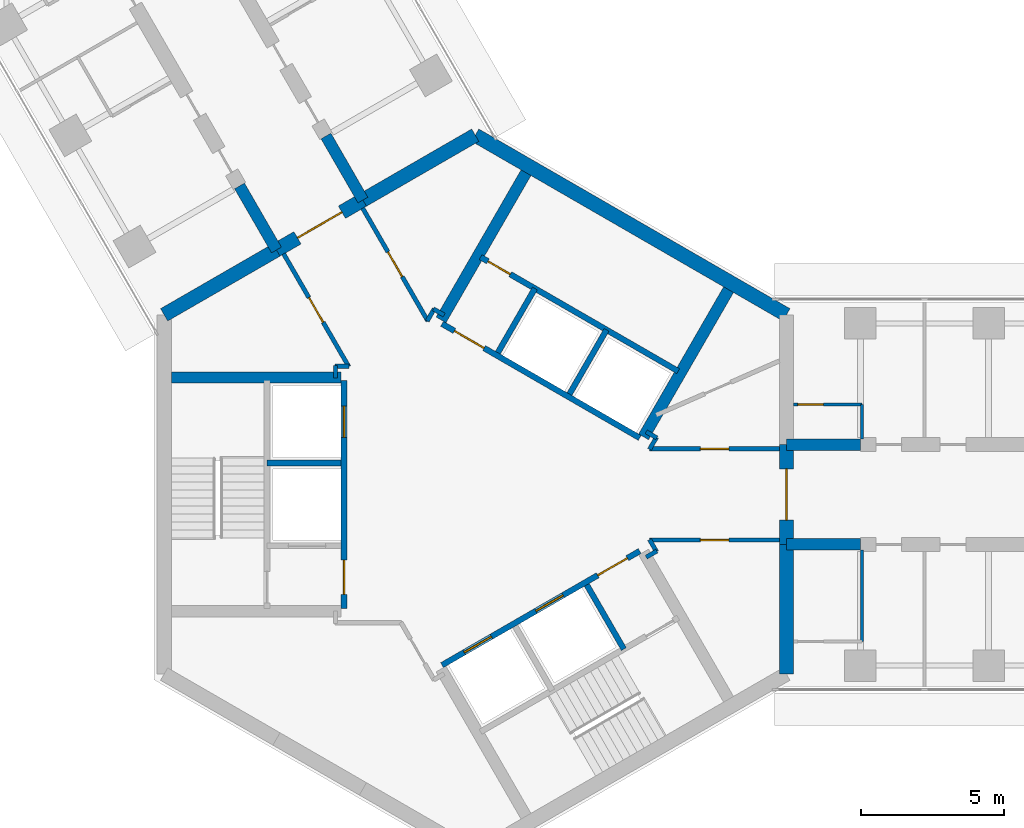
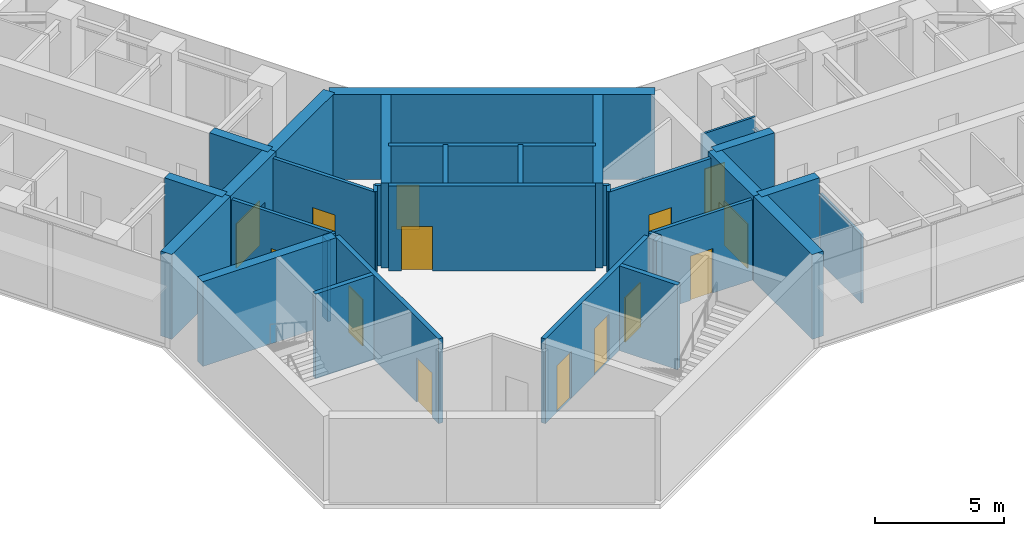
# One storey, part 12 of 18: 36 walls, 14 doors, 14 openings.
"""IFC4 building model written with IfcOpenShell, lengths in metres."""

from ifc_helpers import new_model, si_unit, direction, frame, frame_2d, origin, place, context, subcontext, project, spatial, rectangle, extrude, material, layer, layer_set, type_object, element, fill, save


model = new_model("IFC4")

# Units and contexts
model_context = context("Model", 3, precision=1e-05, world=origin(), true_north=direction((0.0, 1.0)))
body_context = subcontext(model_context, "Body", "Model", "MODEL_VIEW")
ifc_project = project(units=[si_unit("LENGTHUNIT", "METRE"), si_unit("AREAUNIT", "SQUARE_METRE"), si_unit("VOLUMEUNIT", "CUBIC_METRE"), si_unit("PLANEANGLEUNIT", "RADIAN"), si_unit("MASSUNIT", "GRAM", prefix="KILO")], contexts=[model_context])

# Site, building, storey
site_placement = place(None, origin())
site = spatial("IfcSite", under=ifc_project, at=site_placement, CompositionType="ELEMENT")
building_placement = place(site_placement, origin())
building = spatial("IfcBuilding", under=site, at=building_placement, Name="Upepo Twin Towers", CompositionType="ELEMENT")
storey_placement = place(building_placement, frame((0.0, 0.0, 218.5)))
storey = spatial("IfcBuildingStorey", under=building, at=storey_placement, Name="L53", CompositionType="ELEMENT", Elevation=218.5)

# Walls
ifc_material_1 = material(Name="Concrete C60/75", Category="concrete")
ifc_layer_1 = layer(ifc_material_1, 0.39990234375)
ifc_layer_set_1 = layer_set([ifc_layer_1], Name="Concrete C60/75")
wall_type_1 = type_object("IfcWallType", Name="Buttress wall 400 RC", PredefinedType="SHEAR", material=ifc_layer_set_1)
for number, where, z_axis, x_axis, name in (
    (1, (10.908447265625, 1.75, 0.0), (0.0, 0.0, 1.0), (1.0, 0.0, 0.0), "T1 wing A buttress wall L"),
    (2, (10.908447265625, -1.75, 0.0), (0.0, 0.0, 1.0), (1.0, 0.0, 0.0), "T1 wing A buttress wall R"),
):
    element("IfcWall", number, at=place(storey_placement, frame(where, z_axis=z_axis, x_axis=x_axis)), inside=storey, type_object=wall_type_1, Name=name, PredefinedType="SHEAR", context=body_context, shape_type="SweptSolid", body=[
        extrude(rectangle(XDim=2.591552734375, YDim=0.39990234375, at=frame_2d((1.2958984375, 0.0))), origin(), (0.0, 0.0, 1.0), 4.0),
    ])
for number, where, z_axis, x_axis, name in (
    (3, (-6.9697265625, 8.57177734375, 0.0), (0.0, 0.0, 1.0), (-0.499988811324, 0.866031863473, 0.0), "T1 wing B buttress wall L"),
    (4, (-3.938720703125, 10.32177734375, 0.0), (0.0, 0.0, 1.0), (-0.499918158782, 0.866072649678, 0.0), "T1 wing B buttress wall R"),
):
    element("IfcWall", number, at=place(storey_placement, frame(where, z_axis=z_axis, x_axis=x_axis)), inside=storey, type_object=wall_type_1, Name=name, PredefinedType="SHEAR", context=body_context, shape_type="SweptSolid", body=[
        extrude(rectangle(XDim=2.591796875, YDim=0.39990234375, at=frame_2d((1.2958984375, 0.0))), origin(), (0.0, 0.0, 1.0), 4.0),
    ])
ifc_material_2 = material(Name="Concrete C60/75", Category="concrete")
ifc_layer_2 = layer(ifc_material_2, 0.5)
ifc_layer_set_2 = layer_set([ifc_layer_2], Name="Concrete C60/75")
wall_type_2 = type_object("IfcWallType", Name="Core wall 500 RC", PredefinedType="SHEAR", material=ifc_layer_set_2)
wall_1_placement = place(storey_placement, frame((10.908447265625, -6.2978515625, 0.0), z_axis=(0.0, 0.0, 1.0), x_axis=(0.0, 1.0, 0.0)))
element("IfcWall", 5, at=wall_1_placement, inside=storey, type_object=wall_type_2, Name="T1 core wall 000 R", PredefinedType="SHEAR", context=body_context, shape_type="SweptSolid", body=[
    extrude(rectangle(XDim=4.5478515625, YDim=0.5, at=frame_2d((2.27392578125, 0.0))), origin(), (0.0, 0.0, 1.0), 4.0),
])

# Wall, opening, door
wall_2_placement = place(storey_placement, frame((10.908447265625, -1.75, 0.0), z_axis=(0.0, 0.0, 1.0), x_axis=(0.0, 1.0, 0.0)))
wall_2 = element("IfcWall", 6, at=wall_2_placement, inside=storey, type_object=wall_type_2, Name="T1 core wall 000", PredefinedType="SHEAR", context=body_context, shape_type="SweptSolid", body=[
    extrude(rectangle(XDim=3.5, YDim=0.5, at=frame_2d((1.75, 0.0))), origin(), (0.0, 0.0, 1.0), 4.0),
])
opening_1_placement = place(wall_2_placement, frame((0.85009765625, 0.0, 0.0)))
opening_1 = element("IfcOpeningElement", 7, at=opening_1_placement, cuts=wall_2, Name="Opening D2", PredefinedType="OPENING", context=body_context, shape_type="SweptSolid", body=[
    extrude(rectangle(XDim=1.800048828125, YDim=2.10009765625, at=frame_2d((0.89990234375, 1.050048828125))), frame((0.0, 0.260009765625, 0.0), z_axis=(0.0, -1.0, 0.0), x_axis=(1.0, 0.0, 0.0)), (0.0, 0.0, 1.0), 0.52001953125),
])
ifc_material_3 = material(Name="Timber doorset", Category="wood")
door_type_1 = type_object("IfcDoorType", Name="Corridor double door 1800 FD60", OperationType="DOUBLE_DOOR_DOUBLE_SWING", PredefinedType="DOOR", material=ifc_material_3)
door_1_placement = place(opening_1_placement, origin())
door_1 = element("IfcDoor", 8, at=door_1_placement, inside=storey, type_object=door_type_1, Name="T1 L53 wing A corridor door", OperationType="DOUBLE_DOOR_DOUBLE_SWING", OverallHeight=2.10009765625, OverallWidth=1.800048828125, PredefinedType="DOOR", context=body_context, shape_type="SweptSolid", body=[
    extrude(rectangle(XDim=1.800048828125, YDim=2.10009765625, at=frame_2d((0.89990234375, 1.050048828125))), frame((0.0, 0.02490234375, 0.0), z_axis=(0.0, -1.0, 0.0), x_axis=(1.0, 0.0, 0.0)), (0.0, 0.0, 1.0), 0.050048828125),
])
fill(opening_1, door_1)

# Walls
wall_3_placement = place(storey_placement, frame((10.908447265625, 6.2978515625, 0.0), z_axis=(0.0, 0.0, 1.0), x_axis=(-0.866021940709, 0.500005998175, 0.0)))
element("IfcWall", 9, at=wall_3_placement, inside=storey, type_object=wall_type_2, Name="T1 core wall 060", PredefinedType="SHEAR", context=body_context, shape_type="SweptSolid", body=[
    extrude(rectangle(XDim=12.595947265625, YDim=0.5, at=frame_2d((6.2978515625, 0.0))), origin(), (0.0, 0.0, 1.0), 4.0),
])
wall_4_placement = place(storey_placement, frame((0.0, 12.595947265625, 0.0), z_axis=(0.0, 0.0, 1.0), x_axis=(-0.866011268655, -0.500024481964, 0.0)))
element("IfcWall", 10, at=wall_4_placement, inside=storey, type_object=wall_type_2, Name="T1 core wall 120 R", PredefinedType="SHEAR", context=body_context, shape_type="SweptSolid", body=[
    extrude(rectangle(XDim=4.548095703125, YDim=0.5, at=frame_2d((2.27392578125, 0.0))), origin(), (0.0, 0.0, 1.0), 4.0),
])

# Wall, opening, door
wall_5_placement = place(storey_placement, frame((-3.938720703125, 10.32177734375, 0.0), z_axis=(0.0, 0.0, 1.0), x_axis=(-0.866019471182, -0.500010275428, 0.0)))
wall_5 = element("IfcWall", 11, at=wall_5_placement, inside=storey, type_object=wall_type_2, Name="T1 core wall 120", PredefinedType="SHEAR", context=body_context, shape_type="SweptSolid", body=[
    extrude(rectangle(XDim=3.5, YDim=0.5, at=frame_2d((1.75, 0.0))), origin(), (0.0, 0.0, 1.0), 4.0),
])
opening_2_placement = place(wall_5_placement, frame((0.85009765625, 0.0, 0.0)))
opening_2 = element("IfcOpeningElement", 12, at=opening_2_placement, cuts=wall_5, Name="Opening D2", PredefinedType="OPENING", context=body_context, shape_type="SweptSolid", body=[
    extrude(rectangle(XDim=1.800048828125, YDim=2.10009765625, at=frame_2d((0.89990234375, 1.050048828125))), frame((0.0, 0.260009765625, 0.0), z_axis=(0.0, -1.0, 0.0), x_axis=(1.0, 0.0, 0.0)), (0.0, 0.0, 1.0), 0.52001953125),
])
door_2_placement = place(opening_2_placement, origin())
door_2 = element("IfcDoor", 13, at=door_2_placement, inside=storey, type_object=door_type_1, Name="T1 L53 wing B corridor door", OperationType="DOUBLE_DOOR_DOUBLE_SWING", OverallHeight=2.10009765625, OverallWidth=1.800048828125, PredefinedType="DOOR", context=body_context, shape_type="SweptSolid", body=[
    extrude(rectangle(XDim=1.800048828125, YDim=2.10009765625, at=frame_2d((0.89990234375, 1.050048828125))), frame((0.0, 0.02490234375, 0.0), z_axis=(0.0, -1.0, 0.0), x_axis=(1.0, 0.0, 0.0)), (0.0, 0.0, 1.0), 0.050048828125),
])
fill(opening_2, door_2)

# Wall
wall_6_placement = place(storey_placement, frame((-6.9697265625, 8.57177734375, 0.0), z_axis=(0.0, 0.0, 1.0), x_axis=(-0.866034513004, -0.499984222037, 0.0)))
element("IfcWall", 14, at=wall_6_placement, inside=storey, type_object=wall_type_2, Name="T1 core wall 120 L", PredefinedType="SHEAR", context=body_context, shape_type="SweptSolid", body=[
    extrude(rectangle(XDim=4.548095703125, YDim=0.5, at=frame_2d((2.27392578125, 0.0))), origin(), (0.0, 0.0, 1.0), 4.0),
])

# Wall, opening, door
ifc_material_4 = material(Name="Gypsum board on steel studs", Category="steel")
ifc_layer_3 = layer(ifc_material_4, 0.10009765625)
ifc_layer_set_3 = layer_set([ifc_layer_3], Name="Office partition 100 stud")
wall_type_3 = type_object("IfcWallType", Name="Office partition 100 stud", PredefinedType="PARTITIONING", material=ifc_layer_set_3)
wall_7_placement = place(storey_placement, frame((11.157958984375, 3.14990234375, 0.0), z_axis=(0.0, 0.0, 1.0), x_axis=(1.0, 0.0, 0.0)))
wall_7 = element("IfcWall", 15, at=wall_7_placement, inside=storey, type_object=wall_type_3, Name="T1 WC bay partition AL at 11.16", PredefinedType="PARTITIONING", context=body_context, shape_type="SweptSolid", body=[
    extrude(rectangle(XDim=2.400146484375, YDim=0.10009765625, at=frame_2d((1.2001953125, 0.0))), origin(), (0.0, 0.0, 1.0), 3.800048828125),
])
opening_3_placement = place(wall_7_placement, frame((0.14990234375, 0.0, 0.0)))
opening_3 = element("IfcOpeningElement", 16, at=opening_3_placement, cuts=wall_7, Name="Opening D14", PredefinedType="OPENING", context=body_context, shape_type="SweptSolid", body=[
    extrude(rectangle(XDim=0.89990234375, YDim=2.10009765625, at=frame_2d((0.449951171875, 1.050048828125))), frame((0.0, 0.06005859375, 0.0), z_axis=(0.0, -1.0, 0.0), x_axis=(1.0, 0.0, 0.0)), (0.0, 0.0, 1.0), 0.1201171875),
])
ifc_material_5 = material(Name="Timber doorset", Category="wood")
door_type_2 = type_object("IfcDoorType", Name="Office door 900 FD30", OperationType="SINGLE_SWING_LEFT", PredefinedType="DOOR", material=ifc_material_5)
door_3_placement = place(opening_3_placement, origin())
door_3 = element("IfcDoor", 17, at=door_3_placement, inside=storey, type_object=door_type_2, Name="T1 L53 WC bay inner room door", OperationType="SINGLE_SWING_LEFT", OverallHeight=2.10009765625, OverallWidth=0.89990234375, PredefinedType="DOOR", context=body_context, shape_type="SweptSolid", body=[
    extrude(rectangle(XDim=0.89990234375, YDim=2.10009765625, at=frame_2d((0.449951171875, 1.050048828125))), frame((0.0, 0.02490234375, 0.0), z_axis=(0.0, -1.0, 0.0), x_axis=(1.0, 0.0, 0.0)), (0.0, 0.0, 1.0), 0.050048828125),
])
fill(opening_3, door_3)

# Walls
wall_8_placement = place(storey_placement, frame((13.55810546875, 1.949951171875, 0.0), z_axis=(0.0, 0.0, 1.0), x_axis=(0.0, 1.0, 0.0)))
element("IfcWall", 18, at=wall_8_placement, inside=storey, type_object=wall_type_3, Name="T1 WC bay partition AL end at 13.56", PredefinedType="PARTITIONING", context=body_context, shape_type="SweptSolid", body=[
    extrude(rectangle(XDim=1.199951171875, YDim=0.10009765625, at=frame_2d((0.60009765625, 0.0))), origin(), (0.0, 0.0, 1.0), 3.266845703125),
])
wall_9_placement = place(storey_placement, frame((13.55810546875, -1.949951171875, 0.0), z_axis=(0.0, 0.0, 1.0), x_axis=(0.0, -1.0, 0.0)))
element("IfcWall", 19, at=wall_9_placement, inside=storey, type_object=wall_type_3, Name="T1 WC bay partition AR end at 13.56", PredefinedType="PARTITIONING", context=body_context, shape_type="SweptSolid", body=[
    extrude(rectangle(XDim=3.199951171875, YDim=0.10009765625, at=frame_2d((1.60009765625, 0.0))), origin(), (0.0, 0.0, 1.0), 3.266845703125),
])

# Wall, opening, door
ifc_material_6 = material(Name="Concrete C40/50", Category="concrete")
ifc_layer_4 = layer(ifc_material_6, 0.199951171875)
ifc_layer_set_4 = layer_set([ifc_layer_4], Name="Concrete C40/50")
wall_type_4 = type_object("IfcWallType", Name="Shaft wall 200 RC", PredefinedType="SHEAR", material=ifc_layer_set_4)
wall_10_placement = place(storey_placement, frame((5.76416015625, 1.983642578125, 0.0), z_axis=(0.0, 0.0, 1.0), x_axis=(-0.866026010844, 0.49999894854, 0.0)))
wall_10 = element("IfcWall", 20, at=wall_10_placement, inside=storey, type_object=wall_type_4, Name="T1 core W60 front wall", PredefinedType="SHEAR", context=body_context, shape_type="SweptSolid", body=[
    extrude(rectangle(XDim=8.0, YDim=0.199951171875, at=frame_2d((4.0, 0.0))), origin(), (0.0, 0.0, 1.0), 4.0),
])
opening_4_placement = place(wall_10_placement, frame((6.300048828125, 0.0, 0.0)))
opening_4 = element("IfcOpeningElement", 21, at=opening_4_placement, cuts=wall_10, Name="Opening D4", PredefinedType="OPENING", context=body_context, shape_type="SweptSolid", body=[
    extrude(rectangle(XDim=1.199951171875, YDim=2.10009765625, at=frame_2d((0.60009765625, 1.050048828125))), frame((0.0, 0.10986328125, 0.0), z_axis=(0.0, -1.0, 0.0), x_axis=(1.0, 0.0, 0.0)), (0.0, 0.0, 1.0), 0.219970703125),
])
ifc_material_7 = material(Name="Timber doorset", Category="wood")
door_type_3 = type_object("IfcDoorType", Name="Lobby door 1200 FD60", OperationType="SINGLE_SWING_LEFT", PredefinedType="DOOR", material=ifc_material_7)
door_4_placement = place(opening_4_placement, origin())
door_4 = element("IfcDoor", 22, at=door_4_placement, inside=storey, type_object=door_type_3, Name="T1 L53 W60 lobby door", OperationType="SINGLE_SWING_RIGHT", OverallHeight=2.10009765625, OverallWidth=1.199951171875, PredefinedType="DOOR", context=body_context, shape_type="SweptSolid", body=[
    extrude(rectangle(XDim=1.199951171875, YDim=2.10009765625, at=frame_2d((0.60009765625, 1.050048828125))), frame((0.0, 0.02490234375, 0.0), z_axis=(0.0, -1.0, 0.0), x_axis=(1.0, 0.0, 0.0)), (0.0, 0.0, 1.0), 0.050048828125),
])
fill(opening_4, door_4)

# Walls
for number, where, z_axis, x_axis, name in (
    (23, (3.302734375, 3.520263671875, 0.0), (0.0, 0.0, 1.0), (0.499936506574, 0.866062058628, 0.0), "T1 core W60 shaft divider"),
    (24, (0.791259765625, 4.97021484375, 0.0), (0.0, 0.0, 1.0), (0.499936506574, 0.866062058628, 0.0), "T1 core W60 lobby wall"),
):
    element("IfcWall", number, at=place(storey_placement, frame(where, z_axis=z_axis, x_axis=x_axis)), inside=storey, type_object=wall_type_4, Name=name, PredefinedType="SHEAR", context=body_context, shape_type="SweptSolid", body=[
        extrude(rectangle(XDim=2.599853515625, YDim=0.199951171875, at=frame_2d((1.2998046875, 0.0))), origin(), (0.0, 0.0, 1.0), 4.0),
    ])

# Wall, opening, door
wall_11_placement = place(storey_placement, frame((7.114013671875, 4.322021484375, 0.0), z_axis=(0.0, 0.0, 1.0), x_axis=(-0.866026010844, 0.49999894854, 0.0)))
wall_11 = element("IfcWall", 25, at=wall_11_placement, inside=storey, type_object=wall_type_4, Name="T1 core W60 stair wall", PredefinedType="SHEAR", context=body_context, shape_type="SweptSolid", body=[
    extrude(rectangle(XDim=8.0, YDim=0.199951171875, at=frame_2d((4.0, 0.0))), origin(), (0.0, 0.0, 1.0), 4.0),
])
opening_5_placement = place(wall_11_placement, frame((6.800048828125, 0.0, 0.0)))
opening_5 = element("IfcOpeningElement", 26, at=opening_5_placement, cuts=wall_11, Name="Opening D9", PredefinedType="OPENING", context=body_context, shape_type="SweptSolid", body=[
    extrude(rectangle(XDim=0.89990234375, YDim=2.10009765625, at=frame_2d((0.449951171875, 1.050048828125))), frame((0.0, 0.10986328125, 0.0), z_axis=(0.0, -1.0, 0.0), x_axis=(1.0, 0.0, 0.0)), (0.0, 0.0, 1.0), 0.219970703125),
])
ifc_material_8 = material(Name="Timber doorset", Category="wood")
door_type_4 = type_object("IfcDoorType", Name="Riser door 900 FD60", OperationType="SINGLE_SWING_LEFT", PredefinedType="DOOR", material=ifc_material_8)
door_5_placement = place(opening_5_placement, origin())
door_5 = element("IfcDoor", 27, at=door_5_placement, inside=storey, type_object=door_type_4, Name="T1 L53 riser door", OperationType="SINGLE_SWING_RIGHT", OverallHeight=2.10009765625, OverallWidth=0.89990234375, PredefinedType="DOOR", context=body_context, shape_type="SweptSolid", body=[
    extrude(rectangle(XDim=0.89990234375, YDim=2.10009765625, at=frame_2d((0.449951171875, 1.050048828125))), frame((0.0, 0.02490234375, 0.0), z_axis=(0.0, -1.0, 0.0), x_axis=(1.0, 0.0, 0.0)), (0.0, 0.0, 1.0), 0.050048828125),
])
fill(opening_5, door_5)

# Wall, openings, doors
wall_12_placement = place(storey_placement, frame((-4.60009765625, 4.0, 0.0), z_axis=(0.0, 0.0, 1.0), x_axis=(0.0, -1.0, 0.0)))
wall_12 = element("IfcWall", 28, at=wall_12_placement, inside=storey, type_object=wall_type_4, Name="T1 core W180 front wall", PredefinedType="SHEAR", context=body_context, shape_type="SweptSolid", body=[
    extrude(rectangle(XDim=8.0, YDim=0.199951171875, at=frame_2d((4.0, 0.0))), origin(), (0.0, 0.0, 1.0), 4.0),
])
opening_6_placement = place(wall_12_placement, frame((6.300048828125, 0.0, 0.0)))
opening_6 = element("IfcOpeningElement", 29, at=opening_6_placement, cuts=wall_12, Name="Opening D4", PredefinedType="OPENING", context=body_context, shape_type="SweptSolid", body=[
    extrude(rectangle(XDim=1.199951171875, YDim=2.10009765625, at=frame_2d((0.60009765625, 1.050048828125))), frame((0.0, 0.10986328125, 0.0), z_axis=(0.0, -1.0, 0.0), x_axis=(1.0, 0.0, 0.0)), (0.0, 0.0, 1.0), 0.219970703125),
])
opening_7_placement = place(wall_12_placement, frame((0.89990234375, 0.0, 0.0)))
opening_7 = element("IfcOpeningElement", 30, at=opening_7_placement, cuts=wall_12, Name="Opening LD1", PredefinedType="OPENING", context=body_context, shape_type="SweptSolid", body=[
    extrude(rectangle(XDim=1.10009765625, YDim=2.199951171875, at=frame_2d((0.550048828125, 1.10009765625))), frame((0.0, 0.10986328125, 0.0), z_axis=(0.0, -1.0, 0.0), x_axis=(1.0, 0.0, 0.0)), (0.0, 0.0, 1.0), 0.219970703125),
])
ifc_material_9 = material(Name="Steel doorset", Category="steel")
door_type_5 = type_object("IfcDoorType", Name="Lift landing door 1100", OperationType="DOUBLE_DOOR_SLIDING", PredefinedType="DOOR", material=ifc_material_9)
door_6_placement = place(opening_7_placement, origin())
door_6 = element("IfcDoor", 31, at=door_6_placement, inside=storey, type_object=door_type_5, Name="T1 L53 lift SV1 landing door", OperationType="DOUBLE_DOOR_SLIDING", OverallHeight=2.199951171875, OverallWidth=1.10009765625, PredefinedType="DOOR", context=body_context, shape_type="SweptSolid", body=[
    extrude(rectangle(XDim=1.10009765625, YDim=2.199951171875, at=frame_2d((0.550048828125, 1.10009765625))), frame((0.0, 0.02490234375, 0.0), z_axis=(0.0, -1.0, 0.0), x_axis=(1.0, 0.0, 0.0)), (0.0, 0.0, 1.0), 0.050048828125),
])
fill(opening_7, door_6)
door_7_placement = place(opening_6_placement, origin())
door_7 = element("IfcDoor", 32, at=door_7_placement, inside=storey, type_object=door_type_3, Name="T1 L53 W180 lobby door", OperationType="SINGLE_SWING_RIGHT", OverallHeight=2.10009765625, OverallWidth=1.199951171875, PredefinedType="DOOR", context=body_context, shape_type="SweptSolid", body=[
    extrude(rectangle(XDim=1.199951171875, YDim=2.10009765625, at=frame_2d((0.60009765625, 1.050048828125))), frame((0.0, 0.02490234375, 0.0), z_axis=(0.0, -1.0, 0.0), x_axis=(1.0, 0.0, 0.0)), (0.0, 0.0, 1.0), 0.050048828125),
])
fill(opening_6, door_7)

# Wall
wall_13_placement = place(storey_placement, frame((-4.699951171875, 1.10009765625, 0.0), z_axis=(0.0, 0.0, 1.0), x_axis=(-1.0, 0.0, 0.0)))
element("IfcWall", 33, at=wall_13_placement, inside=storey, type_object=wall_type_4, Name="T1 core W180 shaft divider", PredefinedType="SHEAR", context=body_context, shape_type="SweptSolid", body=[
    extrude(rectangle(XDim=2.60009765625, YDim=0.199951171875, at=frame_2d((1.300048828125, 0.0))), origin(), (0.0, 0.0, 1.0), 4.0),
])

# Wall, openings, doors
wall_14_placement = place(storey_placement, frame((-1.1640625, -5.983642578125, 0.0), z_axis=(0.0, 0.0, 1.0), x_axis=(0.866026010844, 0.49999894854, 0.0)))
wall_14 = element("IfcWall", 34, at=wall_14_placement, inside=storey, type_object=wall_type_4, Name="T1 core W300 front wall", PredefinedType="SHEAR", context=body_context, shape_type="SweptSolid", body=[
    extrude(rectangle(XDim=8.0, YDim=0.199951171875, at=frame_2d((4.0, 0.0))), origin(), (0.0, 0.0, 1.0), 4.0),
])
opening_8_placement = place(wall_14_placement, frame((6.300048828125, 0.0, 0.0)))
opening_8 = element("IfcOpeningElement", 35, at=opening_8_placement, cuts=wall_14, Name="Opening D4", PredefinedType="OPENING", context=body_context, shape_type="SweptSolid", body=[
    extrude(rectangle(XDim=1.199951171875, YDim=2.10009765625, at=frame_2d((0.60009765625, 1.050048828125))), frame((0.0, 0.10986328125, 0.0), z_axis=(0.0, -1.0, 0.0), x_axis=(1.0, 0.0, 0.0)), (0.0, 0.0, 1.0), 0.219970703125),
])
opening_9_placement = place(wall_14_placement, frame((0.89990234375, 0.0, 0.0)))
opening_9 = element("IfcOpeningElement", 36, at=opening_9_placement, cuts=wall_14, Name="Opening LD1", PredefinedType="OPENING", context=body_context, shape_type="SweptSolid", body=[
    extrude(rectangle(XDim=1.10009765625, YDim=2.199951171875, at=frame_2d((0.550048828125, 1.10009765625))), frame((0.0, 0.10986328125, 0.0), z_axis=(0.0, -1.0, 0.0), x_axis=(1.0, 0.0, 0.0)), (0.0, 0.0, 1.0), 0.219970703125),
])
opening_10_placement = place(wall_14_placement, frame((3.800048828125, 0.0, 0.0)))
opening_10 = element("IfcOpeningElement", 37, at=opening_10_placement, cuts=wall_14, Name="Opening LD1", PredefinedType="OPENING", context=body_context, shape_type="SweptSolid", body=[
    extrude(rectangle(XDim=1.10009765625, YDim=2.199951171875, at=frame_2d((0.550048828125, 1.10009765625))), frame((0.0, 0.10986328125, 0.0), z_axis=(0.0, -1.0, 0.0), x_axis=(1.0, 0.0, 0.0)), (0.0, 0.0, 1.0), 0.219970703125),
])
door_8_placement = place(opening_9_placement, origin())
door_8 = element("IfcDoor", 38, at=door_8_placement, inside=storey, type_object=door_type_5, Name="T1 L53 lift UL1 landing door", OperationType="DOUBLE_DOOR_SLIDING", OverallHeight=2.199951171875, OverallWidth=1.10009765625, PredefinedType="DOOR", context=body_context, shape_type="SweptSolid", body=[
    extrude(rectangle(XDim=1.10009765625, YDim=2.199951171875, at=frame_2d((0.550048828125, 1.10009765625))), frame((0.0, 0.02490234375, 0.0), z_axis=(0.0, -1.0, 0.0), x_axis=(1.0, 0.0, 0.0)), (0.0, 0.0, 1.0), 0.050048828125),
])
fill(opening_9, door_8)
door_9_placement = place(opening_10_placement, origin())
door_9 = element("IfcDoor", 39, at=door_9_placement, inside=storey, type_object=door_type_5, Name="T1 L53 lift UL2 landing door", OperationType="DOUBLE_DOOR_SLIDING", OverallHeight=2.199951171875, OverallWidth=1.10009765625, PredefinedType="DOOR", context=body_context, shape_type="SweptSolid", body=[
    extrude(rectangle(XDim=1.10009765625, YDim=2.199951171875, at=frame_2d((0.550048828125, 1.10009765625))), frame((0.0, 0.02490234375, 0.0), z_axis=(0.0, -1.0, 0.0), x_axis=(1.0, 0.0, 0.0)), (0.0, 0.0, 1.0), 0.050048828125),
])
fill(opening_10, door_9)
door_10_placement = place(opening_8_placement, origin())
door_10 = element("IfcDoor", 40, at=door_10_placement, inside=storey, type_object=door_type_3, Name="T1 L53 W300 lobby door", OperationType="SINGLE_SWING_RIGHT", OverallHeight=2.10009765625, OverallWidth=1.199951171875, PredefinedType="DOOR", context=body_context, shape_type="SweptSolid", body=[
    extrude(rectangle(XDim=1.199951171875, YDim=2.10009765625, at=frame_2d((0.60009765625, 1.050048828125))), frame((0.0, 0.02490234375, 0.0), z_axis=(0.0, -1.0, 0.0), x_axis=(1.0, 0.0, 0.0)), (0.0, 0.0, 1.0), 0.050048828125),
])
fill(opening_8, door_10)

# Walls
wall_15_placement = place(storey_placement, frame((3.908935546875, -3.17041015625, 0.0), z_axis=(0.0, 0.0, 1.0), x_axis=(0.49997716683, -0.86603858612, 0.0)))
element("IfcWall", 41, at=wall_15_placement, inside=storey, type_object=wall_type_4, Name="T1 core W300 lobby wall", PredefinedType="SHEAR", context=body_context, shape_type="SweptSolid", body=[
    extrude(rectangle(XDim=2.599609375, YDim=0.199951171875, at=frame_2d((1.2998046875, 0.0))), origin(), (0.0, 0.0, 1.0), 4.0),
])
ifc_material_10 = material(Name="Concrete C40/50", Category="concrete")
ifc_layer_5 = layer(ifc_material_10, 0.39990234375)
ifc_layer_set_5 = layer_set([ifc_layer_5], Name="Concrete C40/50")
wall_type_5 = type_object("IfcWallType", Name="Shaft wall 400 RC", PredefinedType="SHEAR", material=ifc_layer_set_5)
wall_16_placement = place(storey_placement, frame((-1.20068359375, 6.120361328125, 0.0), z_axis=(0.0, 0.0, 1.0), x_axis=(0.500021575205, 0.866012946976, 0.0)))
element("IfcWall", 42, at=wall_16_placement, inside=storey, type_object=wall_type_5, Name="T1 core W60 side wall N", PredefinedType="SHEAR", context=body_context, shape_type="SweptSolid", body=[
    extrude(rectangle(XDim=5.958251953125, YDim=0.39990234375, at=frame_2d((2.97900390625, 0.0))), origin(), (0.0, 0.0, 1.0), 4.0),
])
for number, where, z_axis, x_axis, name in (
    (43, (5.900634765625, 2.020263671875, 0.0), (0.0, 0.0, 1.0), (0.500003832394, 0.86602319114, 0.0), "T1 core W60 side wall S"),
    (44, (-4.699951171875, 4.10009765625, 0.0), (0.0, 0.0, 1.0), (-1.0, 0.0, 0.0), "T1 core W180 side wall S"),
):
    element("IfcWall", number, at=place(storey_placement, frame(where, z_axis=z_axis, x_axis=x_axis)), inside=storey, type_object=wall_type_5, Name=name, PredefinedType="SHEAR", context=body_context, shape_type="SweptSolid", body=[
        extrude(rectangle(XDim=5.95849609375, YDim=0.39990234375, at=frame_2d((2.979248046875, 0.0))), origin(), (0.0, 0.0, 1.0), 4.0),
    ])
ifc_material_11 = material(Name="Gypsum board on steel studs", Category="steel")
ifc_layer_6 = layer(ifc_material_11, 0.14990234375)
ifc_layer_set_6 = layer_set([ifc_layer_6], Name="Teaching partition 150 acoustic")
wall_type_6 = type_object("IfcWallType", Name="Teaching partition 150 acoustic", PredefinedType="PARTITIONING", material=ifc_layer_set_6)
for number, where, z_axis, x_axis, name in (
    (45, (6.364501953125, -1.9833984375, 0.0), (0.0, 0.0, 1.0), (-0.865892400268, -0.500230298122, 0.0), "T1 core room partition 1"),
    (46, (-4.89990234375, 4.090087890625, 0.0), (0.0, 0.0, 1.0), (0.0, 1.0, 0.0), "T1 core room partition 6"),
):
    element("IfcWall", number, at=place(storey_placement, frame(where, z_axis=z_axis, x_axis=x_axis)), inside=storey, type_object=wall_type_6, Name=name, PredefinedType="PARTITIONING", context=body_context, shape_type="SweptSolid", body=[
        extrude(rectangle(XDim=0.429931640625, YDim=0.14990234375, at=frame_2d((0.21484375, 0.0))), origin(), (0.0, 0.0, 1.0), 3.800048828125),
    ])
wall_17_placement = place(storey_placement, frame((-4.919921875, 4.5, 0.0), z_axis=(0.0, 0.0, 1.0), x_axis=(1.0, 0.0, 0.0)))
element("IfcWall", 47, at=wall_17_placement, inside=storey, type_object=wall_type_6, Name="T1 core room partition 7", PredefinedType="PARTITIONING", context=body_context, shape_type="SweptSolid", body=[
    extrude(rectangle(XDim=0.494384765625, YDim=0.14990234375, at=frame_2d((0.2470703125, 0.0))), origin(), (0.0, 0.0, 1.0), 3.800048828125),
])

# Wall, opening, door
wall_18_placement = place(storey_placement, frame((-4.435546875, 4.482666015625, 0.0), z_axis=(0.0, 0.0, 1.0), x_axis=(-0.500001558674, 0.866024503882, 0.0)))
wall_18 = element("IfcWall", 48, at=wall_18_placement, inside=storey, type_object=wall_type_6, Name="T1 core room partition 8", PredefinedType="PARTITIONING", context=body_context, shape_type="SweptSolid", body=[
    extrude(rectangle(XDim=4.568359375, YDim=0.14990234375, at=frame_2d((2.2841796875, 0.0))), origin(), (0.0, 0.0, 1.0), 3.800048828125),
])
opening_11_placement = place(wall_18_placement, frame((1.794189453125, 0.0, 0.0)))
opening_11 = element("IfcOpeningElement", 49, at=opening_11_placement, cuts=wall_18, Name="Opening D1", PredefinedType="OPENING", context=body_context, shape_type="SweptSolid", body=[
    extrude(rectangle(XDim=1.0, YDim=2.10009765625, at=frame_2d((0.5, 1.050048828125))), frame((0.0, 0.0849609375, 0.0), z_axis=(0.0, -1.0, 0.0), x_axis=(1.0, 0.0, 0.0)), (0.0, 0.0, 1.0), 0.169921875),
])
ifc_material_12 = material(Name="Timber doorset", Category="wood")
door_type_6 = type_object("IfcDoorType", Name="Room door 1000 FD30", OperationType="SINGLE_SWING_LEFT", PredefinedType="DOOR", material=ifc_material_12)
door_11_placement = place(opening_11_placement, origin())
door_11 = element("IfcDoor", 50, at=door_11_placement, inside=storey, type_object=door_type_6, Name="T1 L53 core room door K6", OperationType="SINGLE_SWING_RIGHT", OverallHeight=2.10009765625, OverallWidth=1.0, PredefinedType="DOOR", context=body_context, shape_type="SweptSolid", body=[
    extrude(rectangle(XDim=1.0, YDim=2.10009765625, at=frame_2d((0.5, 1.050048828125))), frame((0.0, 0.02490234375, 0.0), z_axis=(0.0, -1.0, 0.0), x_axis=(1.0, 0.0, 0.0)), (0.0, 0.0, 1.0), 0.050048828125),
])
fill(opening_11, door_11)

wall_19_placement = place(storey_placement, frame((-3.948486328125, 10.0390625, 0.0), z_axis=(0.0, 0.0, 1.0), x_axis=(0.500001558674, -0.866024503882, 0.0)))
wall_19 = element("IfcWall", 51, at=wall_19_placement, inside=storey, type_object=wall_type_6, Name="T1 core room partition 9", PredefinedType="PARTITIONING", context=body_context, shape_type="SweptSolid", body=[
    extrude(rectangle(XDim=4.568359375, YDim=0.14990234375, at=frame_2d((2.2841796875, 0.0))), origin(), (0.0, 0.0, 1.0), 3.800048828125),
])
opening_12_placement = place(wall_19_placement, frame((1.774169921875, 0.0, 0.0)))
opening_12 = element("IfcOpeningElement", 52, at=opening_12_placement, cuts=wall_19, Name="Opening D1", PredefinedType="OPENING", context=body_context, shape_type="SweptSolid", body=[
    extrude(rectangle(XDim=1.0, YDim=2.10009765625, at=frame_2d((0.5, 1.050048828125))), frame((0.0, 0.0849609375, 0.0), z_axis=(0.0, -1.0, 0.0), x_axis=(1.0, 0.0, 0.0)), (0.0, 0.0, 1.0), 0.169921875),
])
door_12_placement = place(opening_12_placement, origin())
door_12 = element("IfcDoor", 53, at=door_12_placement, inside=storey, type_object=door_type_6, Name="T1 L53 core room door K5", OperationType="SINGLE_SWING_LEFT", OverallHeight=2.10009765625, OverallWidth=1.0, PredefinedType="DOOR", context=body_context, shape_type="SweptSolid", body=[
    extrude(rectangle(XDim=1.0, YDim=2.10009765625, at=frame_2d((0.5, 1.050048828125))), frame((0.0, 0.02490234375, 0.0), z_axis=(0.0, -1.0, 0.0), x_axis=(1.0, 0.0, 0.0)), (0.0, 0.0, 1.0), 0.050048828125),
])
fill(opening_12, door_12)

# Walls
wall_20_placement = place(storey_placement, frame((-1.684326171875, 6.082763671875, 0.0), z_axis=(0.0, 0.0, 1.0), x_axis=(0.50033519877, 0.865831790172, 0.0)))
element("IfcWall", 54, at=wall_20_placement, inside=storey, type_object=wall_type_6, Name="T1 core room partition 10", PredefinedType="PARTITIONING", context=body_context, shape_type="SweptSolid", body=[
    extrude(rectangle(XDim=0.494384765625, YDim=0.14990234375, at=frame_2d((0.2470703125, 0.0))), origin(), (0.0, 0.0, 1.0), 3.800048828125),
])
for number, where, z_axis, x_axis, name in (
    (55, (-1.46435546875, 6.50341796875, 0.0), (0.0, 0.0, 1.0), (0.866138304741, -0.499804398801, 0.0), "T1 core room partition 11"),
    (56, (5.9921875, 2.198486328125, 0.0), (0.0, 0.0, 1.0), (0.865892400268, -0.500230298122, 0.0), "T1 core room partition 12"),
):
    element("IfcWall", number, at=place(storey_placement, frame(where, z_axis=z_axis, x_axis=x_axis)), inside=storey, type_object=wall_type_6, Name=name, PredefinedType="PARTITIONING", context=body_context, shape_type="SweptSolid", body=[
        extrude(rectangle(XDim=0.429931640625, YDim=0.14990234375, at=frame_2d((0.21484375, 0.0))), origin(), (0.0, 0.0, 1.0), 3.800048828125),
    ])
wall_21_placement = place(storey_placement, frame((6.357177734375, 2.0107421875, 0.0), z_axis=(0.0, 0.0, 1.0), x_axis=(-0.50033519877, -0.865831790172, 0.0)))
element("IfcWall", 57, at=wall_21_placement, inside=storey, type_object=wall_type_6, Name="T1 core room partition 13", PredefinedType="PARTITIONING", context=body_context, shape_type="SweptSolid", body=[
    extrude(rectangle(XDim=0.494384765625, YDim=0.14990234375, at=frame_2d((0.2470703125, 0.0))), origin(), (0.0, 0.0, 1.0), 3.800048828125),
])

# Wall, opening, door
wall_22_placement = place(storey_placement, frame((6.099853515625, 1.60009765625, 0.0), z_axis=(0.0, 0.0, 1.0), x_axis=(1.0, 0.0, 0.0)))
wall_22 = element("IfcWall", 58, at=wall_22_placement, inside=storey, type_object=wall_type_6, Name="T1 core room partition 14", PredefinedType="PARTITIONING", context=body_context, shape_type="SweptSolid", body=[
    extrude(rectangle(XDim=4.568359375, YDim=0.14990234375, at=frame_2d((2.2841796875, 0.0))), origin(), (0.0, 0.0, 1.0), 3.800048828125),
])
opening_13_placement = place(wall_22_placement, frame((1.79443359375, 0.0, 0.0)))
opening_13 = element("IfcOpeningElement", 59, at=opening_13_placement, cuts=wall_22, Name="Opening D1", PredefinedType="OPENING", context=body_context, shape_type="SweptSolid", body=[
    extrude(rectangle(XDim=1.0, YDim=2.10009765625, at=frame_2d((0.5, 1.050048828125))), frame((0.0, 0.0849609375, 0.0), z_axis=(0.0, -1.0, 0.0), x_axis=(1.0, 0.0, 0.0)), (0.0, 0.0, 1.0), 0.169921875),
])
door_13_placement = place(opening_13_placement, origin())
door_13 = element("IfcDoor", 60, at=door_13_placement, inside=storey, type_object=door_type_6, Name="T1 L53 core room door K3", OperationType="SINGLE_SWING_RIGHT", OverallHeight=2.10009765625, OverallWidth=1.0, PredefinedType="DOOR", context=body_context, shape_type="SweptSolid", body=[
    extrude(rectangle(XDim=1.0, YDim=2.10009765625, at=frame_2d((0.5, 1.050048828125))), frame((0.0, 0.02490234375, 0.0), z_axis=(0.0, -1.0, 0.0), x_axis=(1.0, 0.0, 0.0)), (0.0, 0.0, 1.0), 0.050048828125),
])
fill(opening_13, door_13)

wall_23_placement = place(storey_placement, frame((10.668212890625, -1.60009765625, 0.0), z_axis=(0.0, 0.0, 1.0), x_axis=(-1.0, 0.0, 0.0)))
wall_23 = element("IfcWall", 61, at=wall_23_placement, inside=storey, type_object=wall_type_6, Name="T1 core room partition 15", PredefinedType="PARTITIONING", context=body_context, shape_type="SweptSolid", body=[
    extrude(rectangle(XDim=4.568359375, YDim=0.14990234375, at=frame_2d((2.2841796875, 0.0))), origin(), (0.0, 0.0, 1.0), 3.800048828125),
])
opening_14_placement = place(wall_23_placement, frame((1.774169921875, 0.0, 0.0)))
opening_14 = element("IfcOpeningElement", 62, at=opening_14_placement, cuts=wall_23, Name="Opening D1", PredefinedType="OPENING", context=body_context, shape_type="SweptSolid", body=[
    extrude(rectangle(XDim=1.0, YDim=2.10009765625, at=frame_2d((0.5, 1.050048828125))), frame((0.0, 0.0849609375, 0.0), z_axis=(0.0, -1.0, 0.0), x_axis=(1.0, 0.0, 0.0)), (0.0, 0.0, 1.0), 0.169921875),
])
door_14_placement = place(opening_14_placement, origin())
door_14 = element("IfcDoor", 63, at=door_14_placement, inside=storey, type_object=door_type_6, Name="T1 L53 core room door K2", OperationType="SINGLE_SWING_LEFT", OverallHeight=2.10009765625, OverallWidth=1.0, PredefinedType="DOOR", context=body_context, shape_type="SweptSolid", body=[
    extrude(rectangle(XDim=1.0, YDim=2.10009765625, at=frame_2d((0.5, 1.050048828125))), frame((0.0, 0.02490234375, 0.0), z_axis=(0.0, -1.0, 0.0), x_axis=(1.0, 0.0, 0.0)), (0.0, 0.0, 1.0), 0.050048828125),
])
fill(opening_14, door_14)

# Wall
wall_24_placement = place(storey_placement, frame((6.10986328125, -1.582763671875, 0.0), z_axis=(0.0, 0.0, 1.0), x_axis=(0.50033519877, -0.865831790172, 0.0)))
element("IfcWall", 64, at=wall_24_placement, inside=storey, type_object=wall_type_6, Name="T1 core room partition 16", PredefinedType="PARTITIONING", context=body_context, shape_type="SweptSolid", body=[
    extrude(rectangle(XDim=0.494384765625, YDim=0.14990234375, at=frame_2d((0.2470703125, 0.0))), origin(), (0.0, 0.0, 1.0), 3.800048828125),
])

save(model, "model.ifc")
